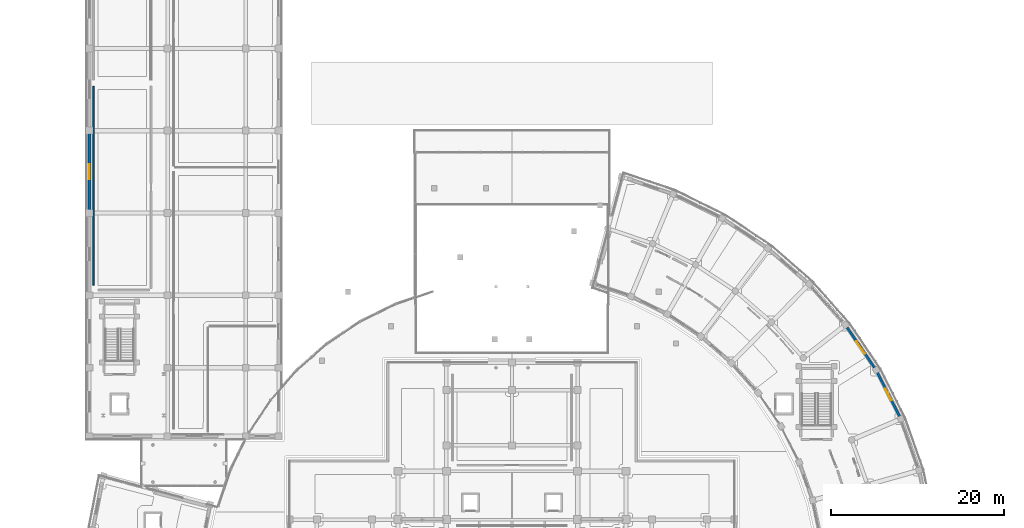
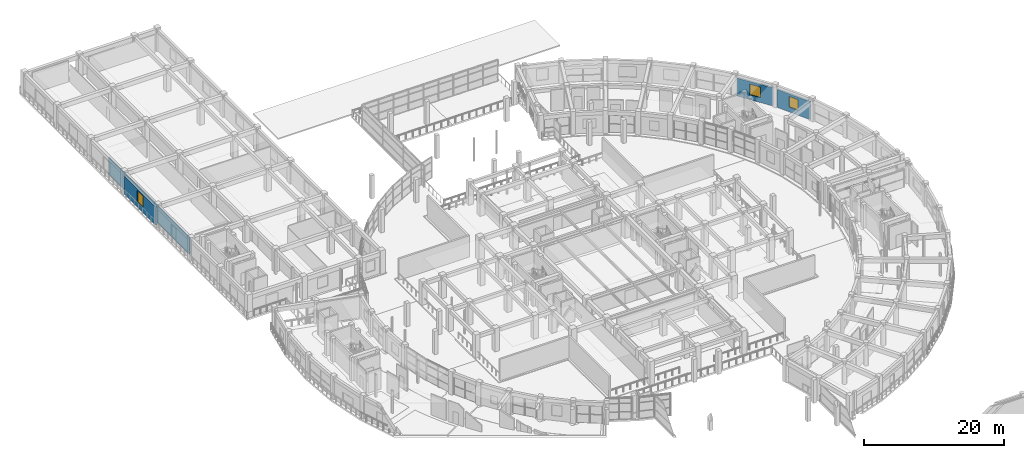
# One storey, part 64 of 87: 4 walls, 3 windows, 3 openings.
"""IFC4 building model written with IfcOpenShell, lengths in metres."""

from ifc_helpers import new_model, si_unit, direction, frame, frame_2d, origin, place, context, subcontext, project, spatial, rectangle, extrude, material, layer, layer_set, type_object, element, fill, save


model = new_model("IFC4")

# Units and contexts
model_context = context("Model", 3, precision=1e-05, world=origin(), true_north=direction((0.0, 1.0)))
body_context = subcontext(model_context, "Body", "Model", "MODEL_VIEW")
ifc_project = project(units=[si_unit("LENGTHUNIT", "METRE"), si_unit("AREAUNIT", "SQUARE_METRE"), si_unit("VOLUMEUNIT", "CUBIC_METRE"), si_unit("PLANEANGLEUNIT", "RADIAN"), si_unit("MASSUNIT", "GRAM", prefix="KILO")], contexts=[model_context])

# Site, building, storey
site_placement = place(None, origin())
site = spatial("IfcSite", under=ifc_project, at=site_placement, CompositionType="ELEMENT")
building_placement = place(site_placement, origin())
building = spatial("IfcBuilding", under=site, at=building_placement, Name="Saryqyr Civic Hall", CompositionType="ELEMENT")
storey_placement = place(building_placement, frame((0.0, 0.0, 5.10009765625)))
storey = spatial("IfcBuildingStorey", under=building, at=storey_placement, Name="L01", CompositionType="ELEMENT", Elevation=5.10009765625)

# Wall, opening, window
ifc_material_1 = material(Name="Precast concrete C40/50", Category="concrete")
ifc_layer_1 = layer(ifc_material_1, 0.27001953125, Name="Precast concrete C40/50")
ifc_layer_set_1 = layer_set([ifc_layer_1], Name="Precast concrete C40/50")
wall_type_1 = type_object("IfcWallType", Name="ENV-WAL-EXT-270", PredefinedType="STANDARD", material=ifc_layer_set_1)
wall_1_placement = place(storey_placement, frame((99.333740234375, 108.635986328125, 0.0), z_axis=(0.0, 0.0, 1.0), x_axis=(0.451927461329, -0.892054689857, 0.0)))
wall_1 = element("IfcWall", 1, at=wall_1_placement, inside=storey, type_object=wall_type_1, Name="Exterior wall V6-EWO-L01-03", PredefinedType="STANDARD", context=body_context, shape_type="SweptSolid", body=[
    extrude(rectangle(XDim=5.689697265625, YDim=0.27001953125, at=frame_2d((2.8447265625, 0.0))), origin(), (0.0, 0.0, 1.0), 3.14501953125),
])
opening_1_placement = place(wall_1_placement, frame((2.094970703125, 0.0, 0.85009765625)))
opening_1 = element("IfcOpeningElement", 2, at=opening_1_placement, cuts=wall_1, Name="Opening W-26", PredefinedType="OPENING", context=body_context, shape_type="SweptSolid", body=[
    extrude(rectangle(XDim=1.5, YDim=1.85009765625, at=frame_2d((0.75, 0.925048828125))), frame((0.0, 0.14501953125, 0.0), z_axis=(0.0, -1.0, 0.0), x_axis=(1.0, 0.0, 0.0)), (0.0, 0.0, 1.0), 0.2900390625),
])
ifc_material_2 = material(Name="Anodised aluminium and triple low-E glass", Category="aluminium")
window_type_1 = type_object("IfcWindowType", Name="ENV-WIN-W26", PartitioningType="SINGLE_PANEL", PredefinedType="WINDOW", material=ifc_material_2)
window_1_placement = place(opening_1_placement, origin())
window_1 = element("IfcWindow", 3, at=window_1_placement, inside=storey, type_object=window_type_1, Name="Exterior ribbon window V6-L01-03", OverallHeight=1.85009765625, OverallWidth=1.5, PartitioningType="SINGLE_PANEL", PredefinedType="WINDOW", context=body_context, shape_type="SweptSolid", body=[
    extrude(rectangle(XDim=1.5, YDim=1.85009765625, at=frame_2d((0.75, 0.925048828125))), frame((0.0, 0.030029296875, 0.0), z_axis=(0.0, -1.0, 0.0), x_axis=(1.0, 0.0, 0.0)), (0.0, 0.0, 1.0), 0.06005859375),
])
fill(opening_1, window_1)

wall_2_placement = place(storey_placement, frame((95.81982421875, 113.865478515625, 0.0), z_axis=(0.0, 0.0, 1.0), x_axis=(0.563124533307, -0.826372046955, 0.0)))
wall_2 = element("IfcWall", 4, at=wall_2_placement, inside=storey, type_object=wall_type_1, Name="Exterior wall V6-EWO-L01-04", PredefinedType="STANDARD", context=body_context, shape_type="SweptSolid", body=[
    extrude(rectangle(XDim=5.638671875, YDim=0.27001953125, at=frame_2d((2.8193359375, 0.0))), origin(), (0.0, 0.0, 1.0), 3.14501953125),
])
opening_2_placement = place(wall_2_placement, frame((1.944091796875, 0.0, 0.85009765625)))
opening_2 = element("IfcOpeningElement", 5, at=opening_2_placement, cuts=wall_2, Name="Opening W-27", PredefinedType="OPENING", context=body_context, shape_type="SweptSolid", body=[
    extrude(rectangle(XDim=1.75, YDim=1.85009765625, at=frame_2d((0.875, 0.925048828125))), frame((0.0, 0.14501953125, 0.0), z_axis=(0.0, -1.0, 0.0), x_axis=(1.0, 0.0, 0.0)), (0.0, 0.0, 1.0), 0.2900390625),
])
window_type_2 = type_object("IfcWindowType", Name="ENV-WIN-W27", PartitioningType="SINGLE_PANEL", PredefinedType="WINDOW", material=ifc_material_2)
window_2_placement = place(opening_2_placement, origin())
window_2 = element("IfcWindow", 6, at=window_2_placement, inside=storey, type_object=window_type_2, Name="Exterior ribbon window V6-L01-04", OverallHeight=1.85009765625, OverallWidth=1.75, PartitioningType="SINGLE_PANEL", PredefinedType="WINDOW", context=body_context, shape_type="SweptSolid", body=[
    extrude(rectangle(XDim=1.75, YDim=1.85009765625, at=frame_2d((0.875, 0.925048828125))), frame((0.0, 0.030029296875, 0.0), z_axis=(0.0, -1.0, 0.0), x_axis=(1.0, 0.0, 0.0)), (0.0, 0.0, 1.0), 0.06005859375),
])
fill(opening_2, window_2)

ifc_layer_2 = layer(ifc_material_1, 0.31005859375, Name="Precast concrete C40/50")
ifc_layer_set_2 = layer_set([ifc_layer_2], Name="Precast concrete C40/50")
wall_type_2 = type_object("IfcWallType", Name="ENV-WAL-EXT-310", PredefinedType="STANDARD", material=ifc_layer_set_2)
wall_3_placement = place(storey_placement, frame((8.050048828125, 127.465087890625, 0.0), z_axis=(0.0, 0.0, 1.0), x_axis=(0.0, 1.0, 0.0)))
wall_3 = element("IfcWall", 7, at=wall_3_placement, inside=storey, type_object=wall_type_2, Name="Exterior wall V3-EW-L01-3-3", PredefinedType="STANDARD", context=body_context, shape_type="SweptSolid", body=[
    extrude(rectangle(XDim=8.85986328125, YDim=0.31005859375, at=frame_2d((4.429931640625, 0.0))), origin(), (0.0, 0.0, 1.0), 3.14501953125),
])
opening_3_placement = place(wall_3_placement, frame((3.580078125, 0.0, 0.85009765625)))
opening_3 = element("IfcOpeningElement", 8, at=opening_3_placement, cuts=wall_3, Name="Opening W-32", PredefinedType="OPENING", context=body_context, shape_type="SweptSolid", body=[
    extrude(rectangle(XDim=1.699951171875, YDim=2.050048828125, at=frame_2d((0.85009765625, 1.02490234375))), frame((0.0, 0.1650390625, 0.0), z_axis=(0.0, -1.0, 0.0), x_axis=(1.0, 0.0, 0.0)), (0.0, 0.0, 1.0), 0.330078125),
])
window_type_3 = type_object("IfcWindowType", Name="ENV-WIN-W32", PartitioningType="SINGLE_PANEL", PredefinedType="WINDOW", material=ifc_material_2)
window_3_placement = place(opening_3_placement, origin())
window_3 = element("IfcWindow", 9, at=window_3_placement, inside=storey, type_object=window_type_3, Name="Library window L01-3-3", OverallHeight=2.050048828125, OverallWidth=1.699951171875, PartitioningType="SINGLE_PANEL", PredefinedType="WINDOW", context=body_context, shape_type="SweptSolid", body=[
    extrude(rectangle(XDim=1.699951171875, YDim=2.050048828125, at=frame_2d((0.85009765625, 1.02490234375))), frame((0.0, 0.030029296875, 0.0), z_axis=(0.0, -1.0, 0.0), x_axis=(1.0, 0.0, 0.0)), (0.0, 0.0, 1.0), 0.06005859375),
])
fill(opening_3, window_3)

# Wall
ifc_material_3 = material(Name="Acoustic double-stud gypsum board", Category="gypsum")
ifc_layer_3 = layer(ifc_material_3, 0.169921875, Name="Acoustic double-stud gypsum board")
ifc_layer_set_3 = layer_set([ifc_layer_3], Name="Acoustic double-stud gypsum board")
wall_type_3 = type_object("IfcWallType", Name="INT-WAL-PRT-170", PredefinedType="PARTITIONING", material=ifc_layer_set_3)
wall_4_placement = place(storey_placement, frame((8.5, 118.75, 0.0), z_axis=(0.0, 0.0, 1.0), x_axis=(0.0, 1.0, 0.0)))
element("IfcWall", 10, at=wall_4_placement, inside=storey, type_object=wall_type_3, Name="Interior partition PRT-SP-V3-L01-R03-W2", PredefinedType="PARTITIONING", context=body_context, shape_type="SweptSolid", body=[
    extrude(rectangle(XDim=23.070068359375, YDim=0.169921875, at=frame_2d((11.53515625, 0.0))), origin(), (0.0, 0.0, 1.0), 2.994873046875),
])

save(model, "model.ifc")
